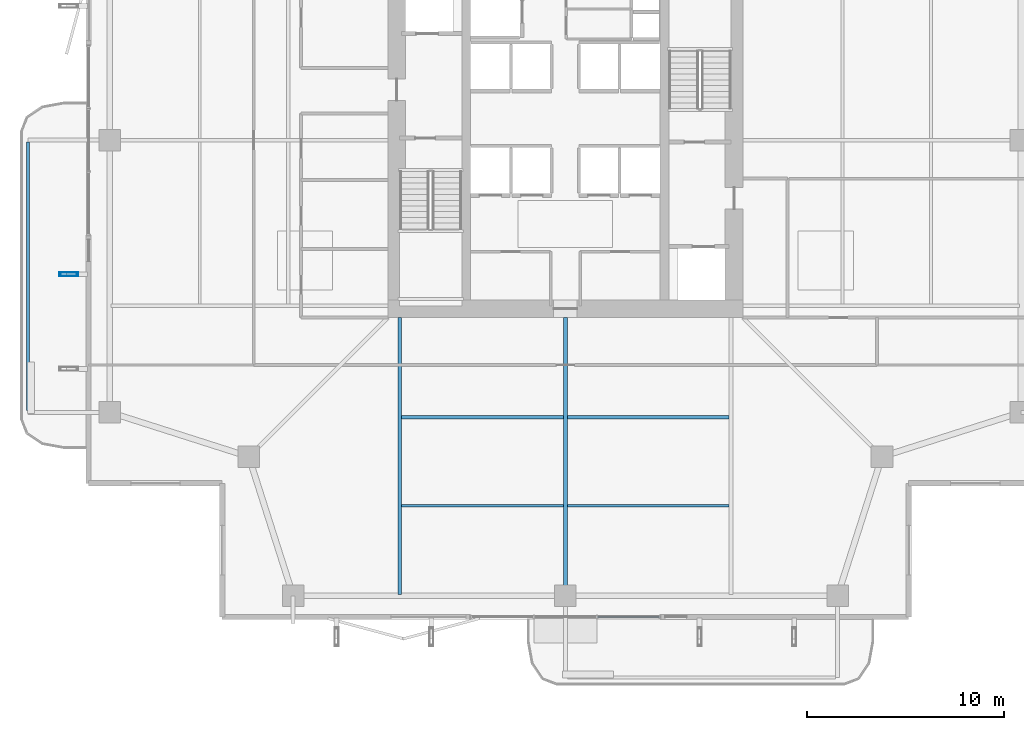
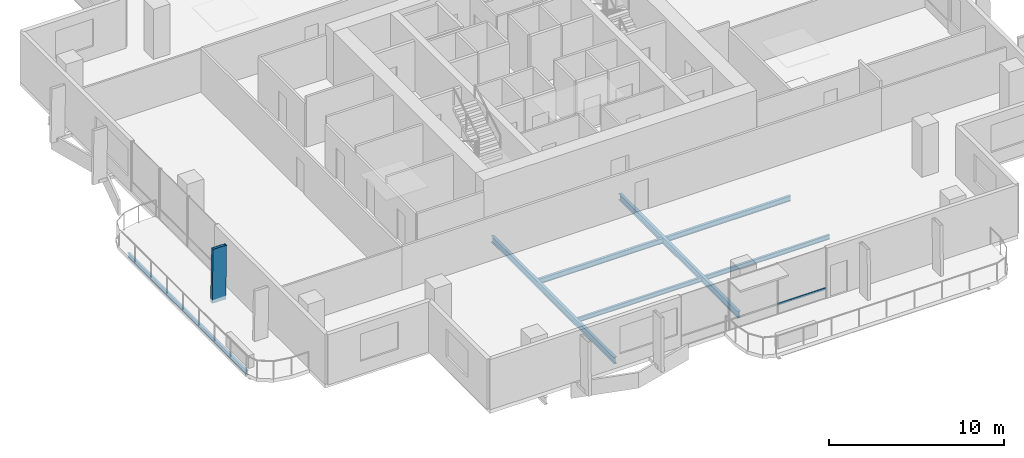
# One storey, part 3 of 25: 7 beams, 2 members, 1 element without a shape of its own.
"""IFC4 building model written with IfcOpenShell, lengths in metres."""

from ifc_helpers import new_model, si_unit, direction, frame, origin, origin_2d, place, context, subcontext, project, spatial, hollow_rectangle, i_section, extrude, material, layer, layer_set, material_profile, profile_set, type_object, element, aggregate, save


model = new_model("IFC4")

# Units and contexts
model_context = context("Model", 3, precision=1e-05, world=origin(), true_north=direction((0.0, 1.0)))
body_context = subcontext(model_context, "Body", "Model", "MODEL_VIEW")
ifc_project = project(units=[si_unit("LENGTHUNIT", "METRE"), si_unit("AREAUNIT", "SQUARE_METRE"), si_unit("VOLUMEUNIT", "CUBIC_METRE"), si_unit("PLANEANGLEUNIT", "RADIAN"), si_unit("MASSUNIT", "GRAM", prefix="KILO")], contexts=[model_context])

# Site, building, storey
site_placement = place(None, origin())
site = spatial("IfcSite", under=ifc_project, at=site_placement, CompositionType="ELEMENT")
building_placement = place(site_placement, origin())
building = spatial("IfcBuilding", under=site, at=building_placement, Name="Belovzor Exchange Tower", CompositionType="ELEMENT")
storey_placement = place(building_placement, frame((0.0, 0.0, 175.800048828125)))
storey = spatial("IfcBuildingStorey", under=building, at=storey_placement, Name="L43", CompositionType="ELEMENT", Elevation=175.800048828125)

# Beams
ifc_material_1 = material(Name="Steel S355", Category="steel")
ifc_material_profile_1 = material_profile(ifc_material_1, i_section(OverallWidth=0.14990234375, OverallDepth=0.300048828125, WebThickness=0.007080078125, FlangeThickness=0.0107421875, at=origin_2d()))
ifc_profile_set_1 = profile_set([ifc_material_profile_1], Name="Steel S355")
beam_type_1 = type_object("IfcBeamType", Name="Planted Balcony Fascia Edge Beam IPE 300", PredefinedType="BEAM", material=ifc_profile_set_1)
beam_1_placement = place(storey_placement, frame((1.547119140625, 28.699951171875, -0.405029296875), z_axis=(0.0, -1.0, 0.0), x_axis=(1.0, 0.0, 0.0)))
element("IfcBeam", 1, at=beam_1_placement, inside=storey, type_object=beam_type_1, Name="BC-300 Planted Balcony Fascia Edge Beam IPE 300", PredefinedType="BEAM", context=body_context, shape_type="SweptSolid", body=[
    extrude(i_section(OverallWidth=0.14990234375, OverallDepth=0.300048828125, WebThickness=0.007080078125, FlangeThickness=0.0107421875, at=origin_2d()), origin(), (0.0, 0.0, 1.0), 13.599853515625),
])
ifc_material_2 = material(Name="Steel S355", Category="steel")
ifc_material_profile_2 = material_profile(ifc_material_2, i_section(OverallWidth=0.169921875, OverallDepth=0.360107421875, WebThickness=0.008056640625, FlangeThickness=0.0126953125, at=origin_2d()))
ifc_profile_set_2 = profile_set([ifc_material_profile_2], Name="Steel S355")
beam_type_2 = type_object("IfcBeamType", Name="Secondary Infill Floor Joist IPE 360", PredefinedType="BEAM", material=ifc_profile_set_2)
for number, where, z_axis, x_axis, name in (
    (2, (20.4951171875, 14.7509765625, -0.43505859375), (1.0, 0.0, 0.0), (0.0, 1.0, 0.0), "FJ-360 Secondary Infill Floor Joist IPE 360"),
    (3, (28.89501953125, 14.7509765625, -0.43505859375), (1.0, 0.0, 0.0), (0.0, 1.0, 0.0), "FJ-360 Secondary Infill Floor Joist IPE 360"),
):
    element("IfcBeam", number, at=place(storey_placement, frame(where, z_axis=z_axis, x_axis=x_axis)), inside=storey, type_object=beam_type_2, Name=name, PredefinedType="BEAM", context=body_context, shape_type="SweptSolid", body=[
        extrude(i_section(OverallWidth=0.169921875, OverallDepth=0.360107421875, WebThickness=0.008056640625, FlangeThickness=0.0126953125, at=origin_2d()), origin(), (0.0, 0.0, 1.0), 8.2099609375),
    ])
ifc_material_3 = material(Name="Steel S355", Category="steel")
ifc_material_profile_3 = material_profile(ifc_material_3, i_section(OverallWidth=0.14990234375, OverallDepth=0.300048828125, WebThickness=0.007080078125, FlangeThickness=0.0107421875, at=origin_2d()))
ifc_profile_set_3 = profile_set([ifc_material_profile_3], Name="Steel S355")
beam_type_3 = type_object("IfcBeamType", Name="Secondary Trim Floor Joist IPE 300", PredefinedType="BEAM", material=ifc_profile_set_3)
for number, where, z_axis, x_axis, name in (
    (4, (20.4951171875, 10.262939453125, -0.405029296875), (1.0, 0.0, 0.0), (0.0, 1.0, 0.0), "FJ-300 Secondary Trim Floor Joist IPE 300"),
    (5, (28.89501953125, 10.262939453125, -0.405029296875), (1.0, 0.0, 0.0), (0.0, 1.0, 0.0), "FJ-300 Secondary Trim Floor Joist IPE 300"),
):
    element("IfcBeam", number, at=place(storey_placement, frame(where, z_axis=z_axis, x_axis=x_axis)), inside=storey, type_object=beam_type_3, Name=name, PredefinedType="BEAM", context=body_context, shape_type="SweptSolid", body=[
        extrude(i_section(OverallWidth=0.14990234375, OverallDepth=0.300048828125, WebThickness=0.007080078125, FlangeThickness=0.0107421875, at=origin_2d()), origin(), (0.0, 0.0, 1.0), 8.2099609375),
    ])

# Member
ifc_material_4 = material(Name="Extruded Architectural Terracotta on Steel S355 Carrier", Category="masonry")
ifc_material_profile_4 = material_profile(ifc_material_4, hollow_rectangle(XDim=0.199951171875, YDim=0.89990234375, WallThickness=0.011962890625, at=origin_2d()))
ifc_profile_set_4 = profile_set([ifc_material_profile_4], Name="Extruded Architectural Terracotta on Steel S355 Carrier")
member_type_1 = type_object("IfcMemberType", Name="Sweeping Terracotta Baguette Fin Assembly 1250", PredefinedType="USERDEFINED", material=ifc_profile_set_4)
member_1_placement = place(storey_placement, frame((3.589111328125, 22.0, -0.255126953125), z_axis=(0.015427851114, 0.0, 0.999880983623), x_axis=(0.0, 1.0, 0.0)))
element("IfcMember", 6, at=member_1_placement, inside=storey, type_object=member_type_1, Name="FIN-TC125 Terracotta Facade Fin L43 W2", ObjectType="FIN", PredefinedType="USERDEFINED", context=body_context, shape_type="SweptSolid", body=[
    extrude(hollow_rectangle(XDim=0.199951171875, YDim=0.89990234375, WallThickness=0.011962890625, at=origin_2d()), origin(), (0.0, 0.0, 1.0), 3.75048828125),
])

# Curtain wall, member
ifc_material_5 = material(Name="Anodised Aluminium Framing", Category="aluminium")
ifc_layer = layer(ifc_material_5, 0.179931640625)
ifc_layer_set = layer_set([ifc_layer], Name="Anodised Aluminium Framing")
curtain_wall_type = type_object("IfcCurtainWallType", Name="Recessed Loggia Low-Iron Triple-Glazed Curtain Wall", PredefinedType="NOTDEFINED", material=ifc_layer_set)
curtain_wall_placement = place(storey_placement, origin())
curtain_wall = element("IfcCurtainWall", 7, at=curtain_wall_placement, inside=storey, type_object=curtain_wall_type, Name="CW3 Recessed Loggia Low-Iron Triple-Glazed Curtain Wall L43", PredefinedType="NOTDEFINED")
ifc_material_6 = material(Name="Steel S355", Category="steel")
ifc_material_profile_5 = material_profile(ifc_material_6, hollow_rectangle(XDim=0.06005859375, YDim=0.14990234375, WallThickness=0.00390625, at=origin_2d()))
ifc_profile_set_5 = profile_set([ifc_material_profile_5], Name="Steel S355")
member_type_2 = type_object("IfcMemberType", Name="Thermally Broken Curtain Wall Transom 150x60", PredefinedType="USERDEFINED", material=ifc_profile_set_5)
member_2_placement = place(storey_placement, frame((33.592041015625, 4.6298828125, 0.62890625), z_axis=(-1.0, 0.0, 0.0), x_axis=(0.0, -1.0, 0.0)))
member_2 = element("IfcMember", 8, at=member_2_placement, type_object=member_type_2, Name="CW-T150 Curtain Wall Transom 1", ObjectType="TRANSOM", PredefinedType="USERDEFINED", context=body_context, shape_type="SweptSolid", body=[
    extrude(hollow_rectangle(XDim=0.06005859375, YDim=0.14990234375, WallThickness=0.00390625, at=origin_2d()), origin(), (0.0, 0.0, 1.0), 3.18408203125),
])
aggregate(curtain_wall, [member_2])

# Beams
ifc_material_7 = material(Name="Steel S355", Category="steel")
ifc_material_profile_6 = material_profile(ifc_material_7, i_section(OverallWidth=0.18994140625, OverallDepth=0.449951171875, WebThickness=0.009521484375, FlangeThickness=0.0146484375, at=origin_2d()))
ifc_profile_set_6 = profile_set([ifc_material_profile_6], Name="Steel S355")
beam_type_4 = type_object("IfcBeamType", Name="Zone 2-4 Radial Composite Floor Beam IPE 450", PredefinedType="BEAM", material=ifc_profile_set_6)
beam_2_placement = place(storey_placement, frame((20.39990234375, 19.800048828125, -0.47998046875), z_axis=(0.0, -1.0, 0.0), x_axis=(1.0, 0.0, 0.0)))
element("IfcBeam", 9, at=beam_2_placement, inside=storey, type_object=beam_type_4, Name="FB-450 Zone 2-4 Radial Composite Floor Beam IPE 450", PredefinedType="BEAM", context=body_context, shape_type="SweptSolid", body=[
    extrude(i_section(OverallWidth=0.18994140625, OverallDepth=0.449951171875, WebThickness=0.009521484375, FlangeThickness=0.0146484375, at=origin_2d()), origin(), (0.0, 0.0, 1.0), 14.025146484375),
])
beam_3_placement = place(storey_placement, frame((28.800048828125, 19.800048828125, -0.47998046875), z_axis=(0.0, -1.0, 0.0), x_axis=(1.0, 0.0, 0.0)))
element("IfcBeam", 10, at=beam_3_placement, inside=storey, type_object=beam_type_4, Name="FB-450 Zone 2-4 Radial Composite Floor Beam IPE 450", PredefinedType="BEAM", context=body_context, shape_type="SweptSolid", body=[
    extrude(i_section(OverallWidth=0.18994140625, OverallDepth=0.449951171875, WebThickness=0.009521484375, FlangeThickness=0.0146484375, at=origin_2d()), origin(), (0.0, 0.0, 1.0), 13.615966796875),
])

save(model, "model.ifc")
